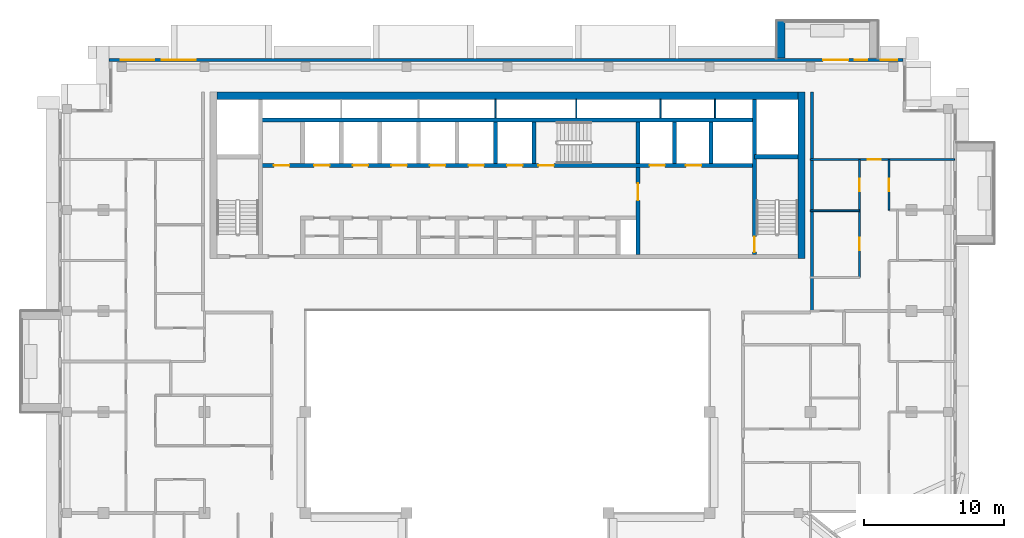
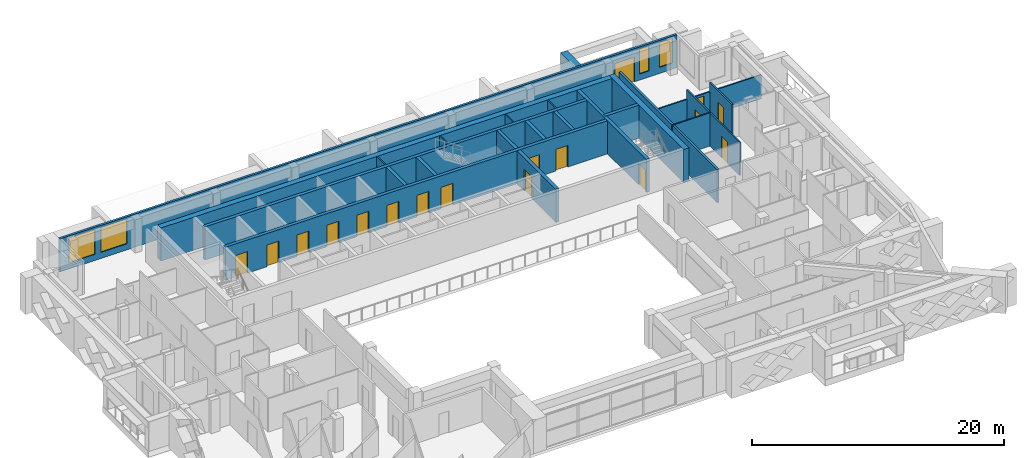
# One storey, part 11 of 19: 23 walls, 17 doors, 4 windows, 21 openings.
"""IFC4 building model written with IfcOpenShell, lengths in metres."""

import ifcopenshell
import ifcopenshell.guid

model = None  # the IFC model being written
_history = None  # IfcOwnerHistory: only IFC2X3 demands one
_inside = {}  # id of a spatial element -> (the spatial element, [elements in it])
_under = {}  # id of a project, library or spatial element -> (it, [spatial elements below it])
_declared = {}  # id of a project -> (the project, [libraries it declares])
_typed = {}  # id of a type object -> (the type object, [elements of that type])
_made_of = {}  # id of a material, layer set ... -> (it, [elements and type objects made of it])


def new_model(schema):
    """Start an empty IFC model of exactly this schema.

    Asked for "IFC4X3", IfcOpenShell would pick the latest addendum, in which some entities
    have other attributes; the version numbers below select the first issue.
    IFC2X3 requires an IfcOwnerHistory on every rooted entity: one is made here for all.
    """
    global model, _history
    if schema == "IFC4X3":
        model = ifcopenshell.file(schema_version=(4, 3, 0, 0))
    else:
        model = ifcopenshell.file(schema=schema)
    _inside.clear()
    _under.clear()
    _declared.clear()
    _typed.clear()
    _made_of.clear()
    _history = None
    if model.schema == "IFC2X3":
        org = make("IfcOrganization", Name="unknown")
        user = make(
            "IfcPersonAndOrganization",
            ThePerson=make("IfcPerson", FamilyName="unknown"),
            TheOrganization=org,
        )
        app = make(
            "IfcApplication",
            ApplicationDeveloper=org,
            Version="unknown",
            ApplicationFullName="unknown",
            ApplicationIdentifier="unknown",
        )
        _history = make(
            "IfcOwnerHistory",
            OwningUser=user,
            OwningApplication=app,
            ChangeAction="ADDED",
            CreationDate=0,
        )
    return model


def make(cls, **values):
    """One entity of the class cls with the attributes given. An attribute that is None is left unset."""
    return model.create_entity(
        cls, **{name: value for name, value in values.items() if value is not None}
    )


def rooted(cls, **values):
    """An entity with a GlobalId (a new one), such as an element, a storey or a relation."""
    return make(cls, GlobalId=ifcopenshell.guid.new(), OwnerHistory=_history, **values)


def si_unit(unit_type, name, prefix=None):
    """IfcSIUnit, for example si_unit("LENGTHUNIT", "METRE", prefix="MILLI")."""
    return make("IfcSIUnit", UnitType=unit_type, Prefix=prefix, Name=name)


def assignment(units):
    """IfcUnitAssignment: the units of a project."""
    return None if units is None else make("IfcUnitAssignment", Units=units)


def point(xyz):
    """IfcCartesianPoint."""
    return None if xyz is None else make("IfcCartesianPoint", Coordinates=xyz)


def direction(xyz):
    """IfcDirection."""
    return None if xyz is None else make("IfcDirection", DirectionRatios=xyz)


def frame(location, z_axis=None, x_axis=None):
    """IfcAxis2Placement3D, a coordinate frame: its origin and axes. An axis left out is left unset."""
    return make(
        "IfcAxis2Placement3D",
        Location=point(location),
        Axis=direction(z_axis),
        RefDirection=direction(x_axis),
    )


def frame_2d(location, x_axis=None):
    """IfcAxis2Placement2D, a coordinate frame in the plane: its origin and x axis."""
    return make(
        "IfcAxis2Placement2D", Location=point(location), RefDirection=direction(x_axis)
    )


def origin():
    """The frame at (0, 0, 0) with its axes left unset."""
    return frame((0.0, 0.0, 0.0))


def place(relative_to, where):
    """IfcLocalPlacement: puts the frame where relative to a parent placement (None: the world)."""
    return make(
        "IfcLocalPlacement", PlacementRelTo=relative_to, RelativePlacement=where
    )


def context(
    kind, dimensions, precision=None, world=None, true_north=None, identifier=None
):
    """IfcGeometricRepresentationContext, for example the 3D "Model" context."""
    return make(
        "IfcGeometricRepresentationContext",
        ContextIdentifier=identifier,
        ContextType=kind,
        CoordinateSpaceDimension=dimensions,
        Precision=precision,
        WorldCoordinateSystem=world,
        TrueNorth=true_north,
    )


def subcontext(parent, identifier, kind, view, scale=None):
    """IfcGeometricRepresentationSubContext, for example "Body" below "Model"."""
    return make(
        "IfcGeometricRepresentationSubContext",
        ContextIdentifier=identifier,
        ContextType=kind,
        ParentContext=parent,
        TargetScale=scale,
        TargetView=view,
    )


def project(units=None, contexts=None):
    """IfcProject with its units and contexts."""
    return rooted(
        "IfcProject",
        Name="project",
        RepresentationContexts=contexts,
        UnitsInContext=assignment(units),
    )


def spatial(cls, under=None, at=None, **own):
    """A site, building, storey or space (cls), placed at a placement, below another one or the project."""
    s = rooted(cls, ObjectPlacement=at, **own)
    if under is not None:
        _under.setdefault(under.id(), (under, []))[1].append(s)
    return s


def profile(cls, at=None, kind="AREA", **sizes):
    """A parametric profile (cls). Its sizes go by their IFC names, for example OverallWidth=200.0."""
    return make(cls, ProfileType=kind, Position=at, **sizes)


def rectangle(**sizes):
    """IfcRectangleProfileDef."""
    return profile("IfcRectangleProfileDef", **sizes)


def extrude(swept, where, along, depth):
    """IfcExtrudedAreaSolid: the profile swept, set in the frame where, extruded along a direction by depth."""
    return make(
        "IfcExtrudedAreaSolid",
        SweptArea=swept,
        Position=where,
        ExtrudedDirection=direction(along),
        Depth=depth,
    )


def shape(context_of_items, identifier, shape_type, items):
    """IfcShapeRepresentation: the items that make up one representation, for example the "Body"."""
    return make(
        "IfcShapeRepresentation",
        ContextOfItems=context_of_items,
        RepresentationIdentifier=identifier,
        RepresentationType=shape_type,
        Items=items,
    )


def material(Name=None, Category=None):
    """IfcMaterial."""
    return make("IfcMaterial", Name=Name, Category=Category)


def layer(
    of_material, thickness, ventilated=None, Name=None, Category=None, Priority=None
):
    """IfcMaterialLayer: one layer of a wall or slab, of a material (None: an air gap)."""
    return make(
        "IfcMaterialLayer",
        Material=of_material,
        LayerThickness=thickness,
        IsVentilated=ventilated,
        Name=Name,
        Category=Category,
        Priority=Priority,
    )


def layer_set(layers, Name=None):
    """IfcMaterialLayerSet."""
    return make("IfcMaterialLayerSet", MaterialLayers=layers, LayerSetName=Name)


def made_of(thing, what):
    """Note that an element or type object is made of a material, layer set ...; save() writes the relation."""
    if what is not None:
        _made_of.setdefault(what.id(), (what, []))[1].append(thing)
    return thing


def type_object(cls, material=None, **own):
    """A type object (cls), such as IfcWallType, which elements share."""
    return made_of(rooted(cls, **own), material)


def element(
    cls,
    number,
    at=None,
    inside=None,
    cuts=None,
    type_object=None,
    material=None,
    context=None,
    identifier="Body",
    shape_type=None,
    held_by="IfcProductDefinitionShape",
    body=None,
    shapes=None,
    **own,
):
    """One element of the class cls, such as IfcWall. Its Tag is "e" and its number.

    at: its placement. inside: the storey or other place that contains it. cuts: it is an
    opening in that element (IfcRelVoidsElement). A single representation is given by context,
    identifier, shape_type and body (its items); several are given by shapes. held_by: the class
    of the entity that holds the representations. save() writes the other relations.
    """
    e = rooted(cls, Tag="e%d" % number, ObjectPlacement=at, **own)
    if body is not None:
        shapes = [shape(context, identifier, shape_type, body)]
    if shapes is not None:
        e.Representation = make(held_by, Representations=shapes)
    if inside is not None:
        _inside.setdefault(inside.id(), (inside, []))[1].append(e)
    if cuts is not None:
        rooted(
            "IfcRelVoidsElement", RelatingBuildingElement=cuts, RelatedOpeningElement=e
        )
    if type_object is not None:
        _typed.setdefault(type_object.id(), (type_object, []))[1].append(e)
    return made_of(e, material)


def fill(opening, filler):
    """IfcRelFillsElement: the door or window that sits in an opening."""
    return rooted(
        "IfcRelFillsElement",
        RelatingOpeningElement=opening,
        RelatedBuildingElement=filler,
    )


def aggregate(whole, parts):
    """IfcRelAggregates: a whole, such as a stair, and the parts it consists of."""
    return rooted("IfcRelAggregates", RelatingObject=whole, RelatedObjects=parts)


def save(model, path):
    """Write the relations noted so far, then the file.

    IfcRelAggregates (storeys below a building ...), IfcRelContainedInSpatialStructure (elements
    in a storey), IfcRelDefinesByType, IfcRelAssociatesMaterial and IfcRelDeclares: one each for
    every whole, place, type object, material and project.
    """
    for whole, parts in _under.values():
        aggregate(whole, parts)
    for where, things in _inside.values():
        rooted(
            "IfcRelContainedInSpatialStructure",
            RelatedElements=things,
            RelatingStructure=where,
        )
    for kind, things in _typed.values():
        rooted("IfcRelDefinesByType", RelatedObjects=things, RelatingType=kind)
    for what, things in _made_of.values():
        rooted("IfcRelAssociatesMaterial", RelatedObjects=things, RelatingMaterial=what)
    for by, libraries in _declared.values():
        rooted("IfcRelDeclares", RelatingContext=by, RelatedDefinitions=libraries)
    model.write(path)


model = new_model("IFC4")

# Units and contexts
model_context = context("Model", 3, precision=1e-05, world=origin(), true_north=direction((0.0, 1.0)))
body_context = subcontext(model_context, "Body", "Model", "MODEL_VIEW")
ifc_project = project(units=[si_unit("LENGTHUNIT", "METRE"), si_unit("AREAUNIT", "SQUARE_METRE"), si_unit("VOLUMEUNIT", "CUBIC_METRE"), si_unit("PLANEANGLEUNIT", "RADIAN"), si_unit("MASSUNIT", "GRAM", prefix="KILO")], contexts=[model_context])

# Site, building, storey
site_placement = place(None, origin())
site = spatial("IfcSite", under=ifc_project, at=site_placement, CompositionType="ELEMENT")
building_placement = place(site_placement, origin())
building = spatial("IfcBuilding", under=site, at=building_placement, Name="Saffron Iwan Residences", CompositionType="ELEMENT")
storey_placement = place(building_placement, frame((0.0, 0.0, 236.0)))
storey = spatial("IfcBuildingStorey", under=building, at=storey_placement, Name="L63", CompositionType="ELEMENT", Elevation=236.0)

# Wall
ifc_material_1 = material(Name="Concrete C50/60 white painted", Category="concrete")
ifc_layer_1 = layer(ifc_material_1, 0.60009765625)
ifc_layer_set_1 = layer_set([ifc_layer_1], Name="Concrete C50/60 white painted")
wall_type_1 = type_object("IfcWallType", Name="BALCONY FIN 600", PredefinedType="SOLIDWALL", material=ifc_layer_set_1)
wall_1_placement = place(storey_placement, frame((69.89990234375, 80.449951171875, 0.0), z_axis=(0.0, 0.0, 1.0), x_axis=(0.0, 1.0, 0.0)))
element("IfcWall", 1, at=wall_1_placement, inside=storey, type_object=wall_type_1, Name="Balcony fin L63 F5-0b", PredefinedType="SOLIDWALL", context=body_context, shape_type="SweptSolid", body=[
    extrude(rectangle(XDim=2.650146484375, YDim=0.60009765625, at=frame_2d((1.3251953125, 0.0))), origin(), (0.0, 0.0, 1.0), 2.85009765625),
])

# Wall, openings, door, windows
ifc_material_2 = material(Name="Concrete C40/50", Category="concrete")
ifc_layer_2 = layer(ifc_material_2, 0.199951171875)
ifc_layer_set_2 = layer_set([ifc_layer_2], Name="Concrete C40/50")
wall_type_2 = type_object("IfcWallType", Name="EXTERNAL WALL 200", PredefinedType="SOLIDWALL", material=ifc_layer_set_2)
wall_2_placement = place(storey_placement, frame((78.60009765625, 80.300048828125, 0.0), z_axis=(0.0, 0.0, 1.0), x_axis=(-1.0, 0.0, 0.0)))
wall_2 = element("IfcWall", 2, at=wall_2_placement, inside=storey, type_object=wall_type_2, Name="External wall L63 F5.0", PredefinedType="SOLIDWALL", context=body_context, shape_type="SweptSolid", body=[
    extrude(rectangle(XDim=56.60009765625, YDim=0.199951171875, at=frame_2d((28.300048828125, 0.0))), origin(), (0.0, 0.0, 1.0), 3.219970703125),
])
opening_1_placement = place(wall_2_placement, frame((3.89990234375, 0.0, 0.0)))
opening_1 = element("IfcOpeningElement", 3, at=opening_1_placement, cuts=wall_2, Name="Opening BD1", PredefinedType="OPENING", context=body_context, shape_type="SweptSolid", body=[
    extrude(rectangle(XDim=1.800048828125, YDim=2.39990234375, at=frame_2d((0.89990234375, 1.199951171875))), frame((0.0, 0.10986328125, 0.0), z_axis=(0.0, -1.0, 0.0), x_axis=(1.0, 0.0, 0.0)), (0.0, 0.0, 1.0), 0.219970703125),
])
opening_2_placement = place(wall_2_placement, frame((50.433349609375, 0.0, 0.60009765625)))
opening_2 = element("IfcOpeningElement", 4, at=opening_2_placement, cuts=wall_2, Name="Opening W1", PredefinedType="OPENING", context=body_context, shape_type="SweptSolid", body=[
    extrude(rectangle(XDim=2.39990234375, YDim=2.39990234375, at=frame_2d((1.199951171875, 1.199951171875))), frame((0.0, 0.10986328125, 0.0), z_axis=(0.0, -1.0, 0.0), x_axis=(1.0, 0.0, 0.0)), (0.0, 0.0, 1.0), 0.219970703125),
])
opening_3_placement = place(wall_2_placement, frame((53.36669921875, 0.0, 0.60009765625)))
opening_3 = element("IfcOpeningElement", 5, at=opening_3_placement, cuts=wall_2, Name="Opening W1", PredefinedType="OPENING", context=body_context, shape_type="SweptSolid", body=[
    extrude(rectangle(XDim=2.39990234375, YDim=2.39990234375, at=frame_2d((1.199951171875, 1.199951171875))), frame((0.0, 0.10986328125, 0.0), z_axis=(0.0, -1.0, 0.0), x_axis=(1.0, 0.0, 0.0)), (0.0, 0.0, 1.0), 0.219970703125),
])
opening_4_placement = place(wall_2_placement, frame((0.39990234375, 0.0, 0.60009765625)))
opening_4 = element("IfcOpeningElement", 6, at=opening_4_placement, cuts=wall_2, Name="Opening W3", PredefinedType="OPENING", context=body_context, shape_type="SweptSolid", body=[
    extrude(rectangle(XDim=1.199951171875, YDim=2.39990234375, at=frame_2d((0.60009765625, 1.199951171875))), frame((0.0, 0.10986328125, 0.0), z_axis=(0.0, -1.0, 0.0), x_axis=(1.0, 0.0, 0.0)), (0.0, 0.0, 1.0), 0.219970703125),
])
opening_5_placement = place(wall_2_placement, frame((2.550048828125, 0.0, 0.60009765625)))
opening_5 = element("IfcOpeningElement", 7, at=opening_5_placement, cuts=wall_2, Name="Opening W10", PredefinedType="OPENING", context=body_context, shape_type="SweptSolid", body=[
    extrude(rectangle(XDim=0.89990234375, YDim=2.39990234375, at=frame_2d((0.449951171875, 1.199951171875))), frame((0.0, 0.10986328125, 0.0), z_axis=(0.0, -1.0, 0.0), x_axis=(1.0, 0.0, 0.0)), (0.0, 0.0, 1.0), 0.219970703125),
])
ifc_material_3 = material(Name="Clear glass, laminated double glazed", Category="glass")
door_type_1 = type_object("IfcDoorType", Name="BALCONY DOOR 1800 x 2400", OperationType="DOUBLE_DOOR_SLIDING", PredefinedType="DOOR", material=ifc_material_3)
door_1_placement = place(opening_1_placement, origin())
door_1 = element("IfcDoor", 8, at=door_1_placement, inside=storey, type_object=door_type_1, Name="Balcony door L63 F5.0", OperationType="DOUBLE_DOOR_SLIDING", OverallHeight=2.39990234375, OverallWidth=1.800048828125, PredefinedType="DOOR", context=body_context, shape_type="SweptSolid", body=[
    extrude(rectangle(XDim=1.800048828125, YDim=2.39990234375, at=frame_2d((0.89990234375, 1.199951171875))), frame((0.0, 0.02490234375, 0.0), z_axis=(0.0, -1.0, 0.0), x_axis=(1.0, 0.0, 0.0)), (0.0, 0.0, 1.0), 0.050048828125),
])
fill(opening_1, door_1)
window_type_1 = type_object("IfcWindowType", Name="WINDOW 1200 x 2400", PartitioningType="SINGLE_PANEL", PredefinedType="WINDOW", material=ifc_material_3)
window_1_placement = place(opening_4_placement, origin())
window_1 = element("IfcWindow", 9, at=window_1_placement, inside=storey, type_object=window_type_1, Name="Window L63 F5.3", OverallHeight=2.39990234375, OverallWidth=1.199951171875, PartitioningType="SINGLE_PANEL", PredefinedType="WINDOW", context=body_context, shape_type="SweptSolid", body=[
    extrude(rectangle(XDim=1.199951171875, YDim=2.39990234375, at=frame_2d((0.60009765625, 1.199951171875))), frame((0.0, 0.030029296875, 0.0), z_axis=(0.0, -1.0, 0.0), x_axis=(1.0, 0.0, 0.0)), (0.0, 0.0, 1.0), 0.06005859375),
])
fill(opening_4, window_1)
window_type_2 = type_object("IfcWindowType", Name="WINDOW 2400 x 2400", PartitioningType="DOUBLE_PANEL_VERTICAL", PredefinedType="WINDOW", material=ifc_material_3)
window_2_placement = place(opening_2_placement, origin())
window_2 = element("IfcWindow", 10, at=window_2_placement, inside=storey, type_object=window_type_2, Name="Window L63 F5.1", OverallHeight=2.39990234375, OverallWidth=2.39990234375, PartitioningType="DOUBLE_PANEL_VERTICAL", PredefinedType="WINDOW", context=body_context, shape_type="SweptSolid", body=[
    extrude(rectangle(XDim=2.39990234375, YDim=2.39990234375, at=frame_2d((1.199951171875, 1.199951171875))), frame((0.0, 0.030029296875, 0.0), z_axis=(0.0, -1.0, 0.0), x_axis=(1.0, 0.0, 0.0)), (0.0, 0.0, 1.0), 0.06005859375),
])
fill(opening_2, window_2)
window_3_placement = place(opening_3_placement, origin())
window_3 = element("IfcWindow", 11, at=window_3_placement, inside=storey, type_object=window_type_2, Name="Window L63 F5.2", OverallHeight=2.39990234375, OverallWidth=2.39990234375, PartitioningType="DOUBLE_PANEL_VERTICAL", PredefinedType="WINDOW", context=body_context, shape_type="SweptSolid", body=[
    extrude(rectangle(XDim=2.39990234375, YDim=2.39990234375, at=frame_2d((1.199951171875, 1.199951171875))), frame((0.0, 0.030029296875, 0.0), z_axis=(0.0, -1.0, 0.0), x_axis=(1.0, 0.0, 0.0)), (0.0, 0.0, 1.0), 0.06005859375),
])
fill(opening_3, window_3)
window_type_3 = type_object("IfcWindowType", Name="WINDOW 900 x 2400", PartitioningType="SINGLE_PANEL", PredefinedType="WINDOW", material=ifc_material_3)
window_4_placement = place(opening_5_placement, origin())
window_4 = element("IfcWindow", 12, at=window_4_placement, inside=storey, type_object=window_type_3, Name="Window L63 F5.4", OverallHeight=2.39990234375, OverallWidth=0.89990234375, PartitioningType="SINGLE_PANEL", PredefinedType="WINDOW", context=body_context, shape_type="SweptSolid", body=[
    extrude(rectangle(XDim=0.89990234375, YDim=2.39990234375, at=frame_2d((0.449951171875, 1.199951171875))), frame((0.0, 0.030029296875, 0.0), z_axis=(0.0, -1.0, 0.0), x_axis=(1.0, 0.0, 0.0)), (0.0, 0.0, 1.0), 0.06005859375),
])
fill(opening_5, window_4)

# Wall
ifc_material_4 = material(Name="Gypsum board partition")
ifc_layer_3 = layer(ifc_material_4, 0.1201171875)
ifc_layer_set_3 = layer_set([ifc_layer_3], Name="Gypsum board partition")
wall_type_3 = type_object("IfcWallType", Name="Flat partition 120", PredefinedType="PARTITIONING", material=ifc_layer_set_3)
wall_3_placement = place(storey_placement, frame((72.0, 69.550048828125, 0.0), z_axis=(0.0, 0.0, 1.0), x_axis=(1.0, 0.0, 0.0)))
element("IfcWall", 13, at=wall_3_placement, inside=storey, type_object=wall_type_3, Name="W-L63-PART-h69.55-72", PredefinedType="PARTITIONING", context=body_context, shape_type="SweptSolid", body=[
    extrude(rectangle(XDim=3.5, YDim=0.1201171875, at=frame_2d((1.75, 0.0))), origin(), (0.0, 0.0, 1.0), 3.219970703125),
])

# Wall, opening, door
wall_4_placement = place(storey_placement, frame((72.0, 73.199951171875, 0.0), z_axis=(0.0, 0.0, 1.0), x_axis=(1.0, 0.0, 0.0)))
wall_4 = element("IfcWall", 14, at=wall_4_placement, inside=storey, type_object=wall_type_3, Name="W-L63-PART-h73.2-72", PredefinedType="PARTITIONING", context=body_context, shape_type="SweptSolid", body=[
    extrude(rectangle(XDim=10.27490234375, YDim=0.1201171875, at=frame_2d((5.137451171875, 0.0))), origin(), (0.0, 0.0, 1.0), 2.320068359375),
])
opening_6_placement = place(wall_4_placement, frame((4.10009765625, 0.0, 0.0)))
opening_6 = element("IfcOpeningElement", 15, at=opening_6_placement, cuts=wall_4, Name="Opening FD2", PredefinedType="OPENING", context=body_context, shape_type="SweptSolid", body=[
    extrude(rectangle(XDim=0.89990234375, YDim=2.10009765625, at=frame_2d((0.449951171875, 1.050048828125))), frame((0.0, 0.070068359375, 0.0), z_axis=(0.0, -1.0, 0.0), x_axis=(1.0, 0.0, 0.0)), (0.0, 0.0, 1.0), 0.14013671875),
])
ifc_material_5 = material(Name="Timber door", Category="wood")
door_type_2 = type_object("IfcDoorType", Name="Flat door 900", OperationType="NOTDEFINED", PredefinedType="DOOR", material=ifc_material_5)
door_2_placement = place(opening_6_placement, origin())
door_2 = element("IfcDoor", 16, at=door_2_placement, inside=storey, type_object=door_type_2, Name="Door L63-038", OperationType="SINGLE_SWING_LEFT", OverallHeight=2.10009765625, OverallWidth=0.89990234375, PredefinedType="DOOR", context=body_context, shape_type="SweptSolid", body=[
    extrude(rectangle(XDim=0.89990234375, YDim=2.10009765625, at=frame_2d((0.449951171875, 1.050048828125))), frame((0.0, 0.02490234375, 0.0), z_axis=(0.0, -1.0, 0.0), x_axis=(1.0, 0.0, 0.0)), (0.0, 0.0, 1.0), 0.050048828125),
])
fill(opening_6, door_2)

# Wall, openings, doors
wall_5_placement = place(storey_placement, frame((75.5, 64.800048828125, 0.0), z_axis=(0.0, 0.0, 1.0), x_axis=(0.0, 1.0, 0.0)))
wall_5 = element("IfcWall", 17, at=wall_5_placement, inside=storey, type_object=wall_type_3, Name="W-L63-PART-v75.5-64.8", PredefinedType="PARTITIONING", context=body_context, shape_type="SweptSolid", body=[
    extrude(rectangle(XDim=8.39990234375, YDim=0.1201171875, at=frame_2d((4.199951171875, 0.0))), origin(), (0.0, 0.0, 1.0), 3.219970703125),
])
opening_7_placement = place(wall_5_placement, frame((1.925048828125, 0.0, 0.0)))
opening_7 = element("IfcOpeningElement", 18, at=opening_7_placement, cuts=wall_5, Name="Opening FD2", PredefinedType="OPENING", context=body_context, shape_type="SweptSolid", body=[
    extrude(rectangle(XDim=0.89990234375, YDim=2.10009765625, at=frame_2d((0.449951171875, 1.050048828125))), frame((0.0, 0.070068359375, 0.0), z_axis=(0.0, -1.0, 0.0), x_axis=(1.0, 0.0, 0.0)), (0.0, 0.0, 1.0), 0.14013671875),
])
opening_8_placement = place(wall_5_placement, frame((6.125, 0.0, 0.0)))
opening_8 = element("IfcOpeningElement", 19, at=opening_8_placement, cuts=wall_5, Name="Opening FD2", PredefinedType="OPENING", context=body_context, shape_type="SweptSolid", body=[
    extrude(rectangle(XDim=0.89990234375, YDim=2.10009765625, at=frame_2d((0.449951171875, 1.050048828125))), frame((0.0, 0.070068359375, 0.0), z_axis=(0.0, -1.0, 0.0), x_axis=(1.0, 0.0, 0.0)), (0.0, 0.0, 1.0), 0.14013671875),
])
door_3_placement = place(opening_7_placement, origin())
door_3 = element("IfcDoor", 20, at=door_3_placement, inside=storey, type_object=door_type_2, Name="Door L63-039", OperationType="SINGLE_SWING_LEFT", OverallHeight=2.10009765625, OverallWidth=0.89990234375, PredefinedType="DOOR", context=body_context, shape_type="SweptSolid", body=[
    extrude(rectangle(XDim=0.89990234375, YDim=2.10009765625, at=frame_2d((0.449951171875, 1.050048828125))), frame((0.0, 0.02490234375, 0.0), z_axis=(0.0, -1.0, 0.0), x_axis=(1.0, 0.0, 0.0)), (0.0, 0.0, 1.0), 0.050048828125),
])
fill(opening_7, door_3)
door_4_placement = place(opening_8_placement, origin())
door_4 = element("IfcDoor", 21, at=door_4_placement, inside=storey, type_object=door_type_2, Name="Door L63-040", OperationType="SINGLE_SWING_RIGHT", OverallHeight=2.10009765625, OverallWidth=0.89990234375, PredefinedType="DOOR", context=body_context, shape_type="SweptSolid", body=[
    extrude(rectangle(XDim=0.89990234375, YDim=2.10009765625, at=frame_2d((0.449951171875, 1.050048828125))), frame((0.0, 0.02490234375, 0.0), z_axis=(0.0, -1.0, 0.0), x_axis=(1.0, 0.0, 0.0)), (0.0, 0.0, 1.0), 0.050048828125),
])
fill(opening_8, door_4)

# Wall, opening, door
wall_6_placement = place(storey_placement, frame((77.60009765625, 69.60009765625, 0.0), z_axis=(0.0, 0.0, 1.0), x_axis=(0.0, 1.0, 0.0)))
wall_6 = element("IfcWall", 22, at=wall_6_placement, inside=storey, type_object=wall_type_3, Name="W-L63-PART-v77.6-69.6", PredefinedType="PARTITIONING", context=body_context, shape_type="SweptSolid", body=[
    extrude(rectangle(XDim=3.599853515625, YDim=0.1201171875, at=frame_2d((1.7998046875, 0.0))), origin(), (0.0, 0.0, 1.0), 3.219970703125),
])
opening_9_placement = place(wall_6_placement, frame((1.35009765625, 0.0, 0.0)))
opening_9 = element("IfcOpeningElement", 23, at=opening_9_placement, cuts=wall_6, Name="Opening FD2", PredefinedType="OPENING", context=body_context, shape_type="SweptSolid", body=[
    extrude(rectangle(XDim=0.89990234375, YDim=2.10009765625, at=frame_2d((0.449951171875, 1.050048828125))), frame((0.0, 0.070068359375, 0.0), z_axis=(0.0, -1.0, 0.0), x_axis=(1.0, 0.0, 0.0)), (0.0, 0.0, 1.0), 0.14013671875),
])
door_5_placement = place(opening_9_placement, origin())
door_5 = element("IfcDoor", 24, at=door_5_placement, inside=storey, type_object=door_type_2, Name="Door L63-037", OperationType="SINGLE_SWING_RIGHT", OverallHeight=2.10009765625, OverallWidth=0.89990234375, PredefinedType="DOOR", context=body_context, shape_type="SweptSolid", body=[
    extrude(rectangle(XDim=0.89990234375, YDim=2.10009765625, at=frame_2d((0.449951171875, 1.050048828125))), frame((0.0, 0.02490234375, 0.0), z_axis=(0.0, -1.0, 0.0), x_axis=(1.0, 0.0, 0.0)), (0.0, 0.0, 1.0), 0.050048828125),
])
fill(opening_9, door_5)

# Walls
ifc_material_6 = material(Name="Fire-rated gypsum board wall")
ifc_layer_4 = layer(ifc_material_6, 0.199951171875)
ifc_layer_set_4 = layer_set([ifc_layer_4], Name="Fire-rated gypsum board wall")
wall_type_4 = type_object("IfcWallType", Name="Gallery wall 200", PredefinedType="SOLIDWALL", material=ifc_layer_set_4)
wall_7_placement = place(storey_placement, frame((72.10009765625, 62.39990234375, 0.0), z_axis=(0.0, 0.0, 1.0), x_axis=(0.0, 1.0, 0.0)))
element("IfcWall", 25, at=wall_7_placement, inside=storey, type_object=wall_type_4, Name="W-L63-CORR-v72-62.4", PredefinedType="SOLIDWALL", context=body_context, shape_type="SweptSolid", body=[
    extrude(rectangle(XDim=15.60009765625, YDim=0.199951171875, at=frame_2d((7.800048828125, 0.0))), origin(), (0.0, 0.0, 1.0), 3.219970703125),
])
ifc_material_7 = material(Name="Fire-rated plasterboard partition")
ifc_layer_5 = layer(ifc_material_7, 0.10009765625)
ifc_layer_set_5 = layer_set([ifc_layer_5], Name="Fire-rated plasterboard partition")
wall_type_5 = type_object("IfcWallType", Name="Riser partition 100", PredefinedType="PARTITIONING", material=ifc_layer_set_5)
for number, where, z_axis, x_axis, name in (
    (26, (49.550048828125, 76.175048828125, 0.0), (0.0, 0.0, 1.0), (0.0, 1.0, 0.0), "Core partition P10"),
    (27, (55.300048828125, 76.175048828125, 0.0), (0.0, 0.0, 1.0), (0.0, 1.0, 0.0), "Core partition P11"),
    (28, (61.300048828125, 76.175048828125, 0.0), (0.0, 0.0, 1.0), (0.0, 1.0, 0.0), "Core partition P12"),
    (29, (65.199951171875, 76.175048828125, 0.0), (0.0, 0.0, 1.0), (0.0, 1.0, 0.0), "Core partition P13"),
):
    element("IfcWall", number, at=place(storey_placement, frame(where, z_axis=z_axis, x_axis=x_axis)), inside=storey, type_object=wall_type_5, Name=name, PredefinedType="PARTITIONING", context=body_context, shape_type="SweptSolid", body=[
        extrude(rectangle(XDim=1.324951171875, YDim=0.10009765625, at=frame_2d((0.66259765625, 0.0))), origin(), (0.0, 0.0, 1.0), 3.219970703125),
    ])

# Wall, openings, doors
ifc_layer_6 = layer(ifc_material_2, 0.300048828125)
ifc_layer_set_6 = layer_set([ifc_layer_6], Name="Concrete C40/50")
wall_type_6 = type_object("IfcWallType", Name="WALL CORE 300 C40/50 3220 HIGH", PredefinedType="SHEAR", material=ifc_layer_set_6)
wall_8_placement = place(storey_placement, frame((32.800048828125, 72.77490234375, 0.0), z_axis=(0.0, 0.0, 1.0), x_axis=(1.0, 0.0, 0.0)))
wall_8 = element("IfcWall", 30, at=wall_8_placement, inside=storey, type_object=wall_type_6, Name="Core wall", PredefinedType="SHEAR", context=body_context, shape_type="SweptSolid", body=[
    extrude(rectangle(XDim=35.199951171875, YDim=0.300048828125, at=frame_2d((17.60009765625, 0.0))), origin(), (0.0, 0.0, 1.0), 3.219970703125),
])
opening_10_placement = place(wall_8_placement, frame((19.800048828125, 0.0, 0.0)))
opening_10 = element("IfcOpeningElement", 31, at=opening_10_placement, cuts=wall_8, Name="Opening SD", PredefinedType="OPENING", context=body_context, shape_type="SweptSolid", body=[
    extrude(rectangle(XDim=1.10009765625, YDim=2.10009765625, at=frame_2d((0.550048828125, 1.050048828125))), frame((0.0, 0.16015625, 0.0), z_axis=(0.0, -1.0, 0.0), x_axis=(1.0, 0.0, 0.0)), (0.0, 0.0, 1.0), 0.320068359375),
])
opening_11_placement = place(wall_8_placement, frame((27.72509765625, 0.0, 0.0)))
opening_11 = element("IfcOpeningElement", 32, at=opening_11_placement, cuts=wall_8, Name="Opening LD", PredefinedType="OPENING", context=body_context, shape_type="SweptSolid", body=[
    extrude(rectangle(XDim=1.10009765625, YDim=2.10009765625, at=frame_2d((0.550048828125, 1.050048828125))), frame((0.0, 0.16015625, 0.0), z_axis=(0.0, -1.0, 0.0), x_axis=(1.0, 0.0, 0.0)), (0.0, 0.0, 1.0), 0.320068359375),
])
opening_12_placement = place(wall_8_placement, frame((30.324951171875, 0.0, 0.0)))
opening_12 = element("IfcOpeningElement", 33, at=opening_12_placement, cuts=wall_8, Name="Opening LD", PredefinedType="OPENING", context=body_context, shape_type="SweptSolid", body=[
    extrude(rectangle(XDim=1.10009765625, YDim=2.10009765625, at=frame_2d((0.550048828125, 1.050048828125))), frame((0.0, 0.16015625, 0.0), z_axis=(0.0, -1.0, 0.0), x_axis=(1.0, 0.0, 0.0)), (0.0, 0.0, 1.0), 0.320068359375),
])
opening_13_placement = place(wall_8_placement, frame((3.824951171875, 0.0, 0.0)))
opening_13 = element("IfcOpeningElement", 34, at=opening_13_placement, cuts=wall_8, Name="Opening LD", PredefinedType="OPENING", context=body_context, shape_type="SweptSolid", body=[
    extrude(rectangle(XDim=1.10009765625, YDim=2.10009765625, at=frame_2d((0.550048828125, 1.050048828125))), frame((0.0, 0.16015625, 0.0), z_axis=(0.0, -1.0, 0.0), x_axis=(1.0, 0.0, 0.0)), (0.0, 0.0, 1.0), 0.320068359375),
])
opening_14_placement = place(wall_8_placement, frame((6.574951171875, 0.0, 0.0)))
opening_14 = element("IfcOpeningElement", 35, at=opening_14_placement, cuts=wall_8, Name="Opening LD", PredefinedType="OPENING", context=body_context, shape_type="SweptSolid", body=[
    extrude(rectangle(XDim=1.10009765625, YDim=2.10009765625, at=frame_2d((0.550048828125, 1.050048828125))), frame((0.0, 0.16015625, 0.0), z_axis=(0.0, -1.0, 0.0), x_axis=(1.0, 0.0, 0.0)), (0.0, 0.0, 1.0), 0.320068359375),
])
opening_15_placement = place(wall_8_placement, frame((9.324951171875, 0.0, 0.0)))
opening_15 = element("IfcOpeningElement", 36, at=opening_15_placement, cuts=wall_8, Name="Opening LD", PredefinedType="OPENING", context=body_context, shape_type="SweptSolid", body=[
    extrude(rectangle(XDim=1.10009765625, YDim=2.10009765625, at=frame_2d((0.550048828125, 1.050048828125))), frame((0.0, 0.16015625, 0.0), z_axis=(0.0, -1.0, 0.0), x_axis=(1.0, 0.0, 0.0)), (0.0, 0.0, 1.0), 0.320068359375),
])
opening_16_placement = place(wall_8_placement, frame((12.074951171875, 0.0, 0.0)))
opening_16 = element("IfcOpeningElement", 37, at=opening_16_placement, cuts=wall_8, Name="Opening LD", PredefinedType="OPENING", context=body_context, shape_type="SweptSolid", body=[
    extrude(rectangle(XDim=1.10009765625, YDim=2.10009765625, at=frame_2d((0.550048828125, 1.050048828125))), frame((0.0, 0.16015625, 0.0), z_axis=(0.0, -1.0, 0.0), x_axis=(1.0, 0.0, 0.0)), (0.0, 0.0, 1.0), 0.320068359375),
])
opening_17_placement = place(wall_8_placement, frame((14.824951171875, 0.0, 0.0)))
opening_17 = element("IfcOpeningElement", 38, at=opening_17_placement, cuts=wall_8, Name="Opening LD", PredefinedType="OPENING", context=body_context, shape_type="SweptSolid", body=[
    extrude(rectangle(XDim=1.10009765625, YDim=2.10009765625, at=frame_2d((0.550048828125, 1.050048828125))), frame((0.0, 0.16015625, 0.0), z_axis=(0.0, -1.0, 0.0), x_axis=(1.0, 0.0, 0.0)), (0.0, 0.0, 1.0), 0.320068359375),
])
opening_18_placement = place(wall_8_placement, frame((17.574951171875, 0.0, 0.0)))
opening_18 = element("IfcOpeningElement", 39, at=opening_18_placement, cuts=wall_8, Name="Opening LD", PredefinedType="OPENING", context=body_context, shape_type="SweptSolid", body=[
    extrude(rectangle(XDim=1.10009765625, YDim=2.10009765625, at=frame_2d((0.550048828125, 1.050048828125))), frame((0.0, 0.16015625, 0.0), z_axis=(0.0, -1.0, 0.0), x_axis=(1.0, 0.0, 0.0)), (0.0, 0.0, 1.0), 0.320068359375),
])
opening_19_placement = place(wall_8_placement, frame((0.949951171875, 0.0, 0.0)))
opening_19 = element("IfcOpeningElement", 40, at=opening_19_placement, cuts=wall_8, Name="Opening SR", PredefinedType="OPENING", context=body_context, shape_type="SweptSolid", body=[
    extrude(rectangle(XDim=1.10009765625, YDim=2.10009765625, at=frame_2d((0.550048828125, 1.050048828125))), frame((0.0, 0.16015625, 0.0), z_axis=(0.0, -1.0, 0.0), x_axis=(1.0, 0.0, 0.0)), (0.0, 0.0, 1.0), 0.320068359375),
])
ifc_material_8 = material(Name="Steel fire door", Category="steel")
door_type_3 = type_object("IfcDoorType", Name="Lift landing door 1100", OperationType="SLIDING_TO_LEFT", PredefinedType="DOOR", material=ifc_material_8)
door_6_placement = place(opening_11_placement, origin())
door_6 = element("IfcDoor", 41, at=door_6_placement, inside=storey, type_object=door_type_3, Name="Landing doors FF1", OperationType="SLIDING_TO_LEFT", OverallHeight=2.10009765625, OverallWidth=1.10009765625, PredefinedType="DOOR", context=body_context, shape_type="SweptSolid", body=[
    extrude(rectangle(XDim=1.10009765625, YDim=2.10009765625, at=frame_2d((0.550048828125, 1.050048828125))), frame((0.0, 0.02490234375, 0.0), z_axis=(0.0, -1.0, 0.0), x_axis=(1.0, 0.0, 0.0)), (0.0, 0.0, 1.0), 0.050048828125),
])
fill(opening_11, door_6)
door_7_placement = place(opening_12_placement, origin())
door_7 = element("IfcDoor", 42, at=door_7_placement, inside=storey, type_object=door_type_3, Name="Landing doors FF2", OperationType="SLIDING_TO_LEFT", OverallHeight=2.10009765625, OverallWidth=1.10009765625, PredefinedType="DOOR", context=body_context, shape_type="SweptSolid", body=[
    extrude(rectangle(XDim=1.10009765625, YDim=2.10009765625, at=frame_2d((0.550048828125, 1.050048828125))), frame((0.0, 0.02490234375, 0.0), z_axis=(0.0, -1.0, 0.0), x_axis=(1.0, 0.0, 0.0)), (0.0, 0.0, 1.0), 0.050048828125),
])
fill(opening_12, door_7)
door_8_placement = place(opening_13_placement, origin())
door_8 = element("IfcDoor", 43, at=door_8_placement, inside=storey, type_object=door_type_3, Name="Landing doors HR1", OperationType="SLIDING_TO_LEFT", OverallHeight=2.10009765625, OverallWidth=1.10009765625, PredefinedType="DOOR", context=body_context, shape_type="SweptSolid", body=[
    extrude(rectangle(XDim=1.10009765625, YDim=2.10009765625, at=frame_2d((0.550048828125, 1.050048828125))), frame((0.0, 0.02490234375, 0.0), z_axis=(0.0, -1.0, 0.0), x_axis=(1.0, 0.0, 0.0)), (0.0, 0.0, 1.0), 0.050048828125),
])
fill(opening_13, door_8)
door_9_placement = place(opening_14_placement, origin())
door_9 = element("IfcDoor", 44, at=door_9_placement, inside=storey, type_object=door_type_3, Name="Landing doors HR2", OperationType="SLIDING_TO_LEFT", OverallHeight=2.10009765625, OverallWidth=1.10009765625, PredefinedType="DOOR", context=body_context, shape_type="SweptSolid", body=[
    extrude(rectangle(XDim=1.10009765625, YDim=2.10009765625, at=frame_2d((0.550048828125, 1.050048828125))), frame((0.0, 0.02490234375, 0.0), z_axis=(0.0, -1.0, 0.0), x_axis=(1.0, 0.0, 0.0)), (0.0, 0.0, 1.0), 0.050048828125),
])
fill(opening_14, door_9)
door_10_placement = place(opening_15_placement, origin())
door_10 = element("IfcDoor", 45, at=door_10_placement, inside=storey, type_object=door_type_3, Name="Landing doors HR3", OperationType="SLIDING_TO_LEFT", OverallHeight=2.10009765625, OverallWidth=1.10009765625, PredefinedType="DOOR", context=body_context, shape_type="SweptSolid", body=[
    extrude(rectangle(XDim=1.10009765625, YDim=2.10009765625, at=frame_2d((0.550048828125, 1.050048828125))), frame((0.0, 0.02490234375, 0.0), z_axis=(0.0, -1.0, 0.0), x_axis=(1.0, 0.0, 0.0)), (0.0, 0.0, 1.0), 0.050048828125),
])
fill(opening_15, door_10)
door_11_placement = place(opening_16_placement, origin())
door_11 = element("IfcDoor", 46, at=door_11_placement, inside=storey, type_object=door_type_3, Name="Landing doors HR4", OperationType="SLIDING_TO_LEFT", OverallHeight=2.10009765625, OverallWidth=1.10009765625, PredefinedType="DOOR", context=body_context, shape_type="SweptSolid", body=[
    extrude(rectangle(XDim=1.10009765625, YDim=2.10009765625, at=frame_2d((0.550048828125, 1.050048828125))), frame((0.0, 0.02490234375, 0.0), z_axis=(0.0, -1.0, 0.0), x_axis=(1.0, 0.0, 0.0)), (0.0, 0.0, 1.0), 0.050048828125),
])
fill(opening_16, door_11)
door_12_placement = place(opening_17_placement, origin())
door_12 = element("IfcDoor", 47, at=door_12_placement, inside=storey, type_object=door_type_3, Name="Landing doors HR5", OperationType="SLIDING_TO_LEFT", OverallHeight=2.10009765625, OverallWidth=1.10009765625, PredefinedType="DOOR", context=body_context, shape_type="SweptSolid", body=[
    extrude(rectangle(XDim=1.10009765625, YDim=2.10009765625, at=frame_2d((0.550048828125, 1.050048828125))), frame((0.0, 0.02490234375, 0.0), z_axis=(0.0, -1.0, 0.0), x_axis=(1.0, 0.0, 0.0)), (0.0, 0.0, 1.0), 0.050048828125),
])
fill(opening_17, door_12)
door_13_placement = place(opening_18_placement, origin())
door_13 = element("IfcDoor", 48, at=door_13_placement, inside=storey, type_object=door_type_3, Name="Landing doors HR6", OperationType="SLIDING_TO_LEFT", OverallHeight=2.10009765625, OverallWidth=1.10009765625, PredefinedType="DOOR", context=body_context, shape_type="SweptSolid", body=[
    extrude(rectangle(XDim=1.10009765625, YDim=2.10009765625, at=frame_2d((0.550048828125, 1.050048828125))), frame((0.0, 0.02490234375, 0.0), z_axis=(0.0, -1.0, 0.0), x_axis=(1.0, 0.0, 0.0)), (0.0, 0.0, 1.0), 0.050048828125),
])
fill(opening_18, door_13)
door_type_4 = type_object("IfcDoorType", Name="Service door 1100", OperationType="NOTDEFINED", PredefinedType="DOOR", material=ifc_material_8)
door_14_placement = place(opening_19_placement, origin())
door_14 = element("IfcDoor", 49, at=door_14_placement, inside=storey, type_object=door_type_4, Name="Door Caretaker's room", OperationType="SINGLE_SWING_LEFT", OverallHeight=2.10009765625, OverallWidth=1.10009765625, PredefinedType="DOOR", context=body_context, shape_type="SweptSolid", body=[
    extrude(rectangle(XDim=1.10009765625, YDim=2.10009765625, at=frame_2d((0.550048828125, 1.050048828125))), frame((0.0, 0.02490234375, 0.0), z_axis=(0.0, -1.0, 0.0), x_axis=(1.0, 0.0, 0.0)), (0.0, 0.0, 1.0), 0.050048828125),
])
fill(opening_19, door_14)
door_type_5 = type_object("IfcDoorType", Name="Stair door 1100", OperationType="NOTDEFINED", PredefinedType="DOOR", material=ifc_material_8)
door_15_placement = place(opening_10_placement, origin())
door_15 = element("IfcDoor", 50, at=door_15_placement, inside=storey, type_object=door_type_5, Name="Stair door ST-C", OperationType="SINGLE_SWING_LEFT", OverallHeight=2.10009765625, OverallWidth=1.10009765625, PredefinedType="DOOR", context=body_context, shape_type="SweptSolid", body=[
    extrude(rectangle(XDim=1.10009765625, YDim=2.10009765625, at=frame_2d((0.550048828125, 1.050048828125))), frame((0.0, 0.02490234375, 0.0), z_axis=(0.0, -1.0, 0.0), x_axis=(1.0, 0.0, 0.0)), (0.0, 0.0, 1.0), 0.050048828125),
])
fill(opening_10, door_15)

# Walls
wall_9_placement = place(storey_placement, frame((32.800048828125, 76.02490234375, 0.0), z_axis=(0.0, 0.0, 1.0), x_axis=(1.0, 0.0, 0.0)))
element("IfcWall", 51, at=wall_9_placement, inside=storey, type_object=wall_type_6, Name="Core wall", PredefinedType="SHEAR", context=body_context, shape_type="SweptSolid", body=[
    extrude(rectangle(XDim=35.199951171875, YDim=0.300048828125, at=frame_2d((17.60009765625, 0.0))), origin(), (0.0, 0.0, 1.0), 3.219970703125),
])
wall_10_placement = place(storey_placement, frame((68.0, 73.39990234375, 0.0), z_axis=(0.0, 0.0, 1.0), x_axis=(1.0, 0.0, 0.0)))
element("IfcWall", 52, at=wall_10_placement, inside=storey, type_object=wall_type_6, Name="Core wall", PredefinedType="SHEAR", context=body_context, shape_type="SweptSolid", body=[
    extrude(rectangle(XDim=3.10009765625, YDim=0.300048828125, at=frame_2d((1.550048828125, 0.0))), origin(), (0.0, 0.0, 1.0), 3.219970703125),
])

# Wall, opening, door
wall_11_placement = place(storey_placement, frame((68.0, 66.449951171875, 0.0), z_axis=(0.0, 0.0, 1.0), x_axis=(0.0, 1.0, 0.0)))
wall_11 = element("IfcWall", 53, at=wall_11_placement, inside=storey, type_object=wall_type_6, Name="Core wall", PredefinedType="SHEAR", context=body_context, shape_type="SweptSolid", body=[
    extrude(rectangle(XDim=11.050048828125, YDim=0.300048828125, at=frame_2d((5.52490234375, 0.0))), origin(), (0.0, 0.0, 1.0), 3.219970703125),
])
opening_20_placement = place(wall_11_placement, frame((0.14990234375, 0.0, 0.0)))
opening_20 = element("IfcOpeningElement", 54, at=opening_20_placement, cuts=wall_11, Name="Opening SD", PredefinedType="OPENING", context=body_context, shape_type="SweptSolid", body=[
    extrude(rectangle(XDim=1.10009765625, YDim=2.10009765625, at=frame_2d((0.550048828125, 1.050048828125))), frame((0.0, 0.16015625, 0.0), z_axis=(0.0, -1.0, 0.0), x_axis=(1.0, 0.0, 0.0)), (0.0, 0.0, 1.0), 0.320068359375),
])
door_16_placement = place(opening_20_placement, origin())
door_16 = element("IfcDoor", 55, at=door_16_placement, inside=storey, type_object=door_type_5, Name="Stair door ST-E", OperationType="SINGLE_SWING_RIGHT", OverallHeight=2.10009765625, OverallWidth=1.10009765625, PredefinedType="DOOR", context=body_context, shape_type="SweptSolid", body=[
    extrude(rectangle(XDim=1.10009765625, YDim=2.10009765625, at=frame_2d((0.550048828125, 1.050048828125))), frame((0.0, 0.02490234375, 0.0), z_axis=(0.0, -1.0, 0.0), x_axis=(1.0, 0.0, 0.0)), (0.0, 0.0, 1.0), 0.050048828125),
])
fill(opening_20, door_16)

wall_12_placement = place(storey_placement, frame((59.699951171875, 66.449951171875, 0.0), z_axis=(0.0, 0.0, 1.0), x_axis=(0.0, 1.0, 0.0)))
wall_12 = element("IfcWall", 56, at=wall_12_placement, inside=storey, type_object=wall_type_6, Name="Core wall", PredefinedType="SHEAR", context=body_context, shape_type="SweptSolid", body=[
    extrude(rectangle(XDim=6.175048828125, YDim=0.300048828125, at=frame_2d((3.08740234375, 0.0))), origin(), (0.0, 0.0, 1.0), 3.219970703125),
])
opening_21_placement = place(wall_12_placement, frame((3.85009765625, 0.0, 0.0)))
opening_21 = element("IfcOpeningElement", 57, at=opening_21_placement, cuts=wall_12, Name="Opening FD", PredefinedType="OPENING", context=body_context, shape_type="SweptSolid", body=[
    extrude(rectangle(XDim=1.199951171875, YDim=2.10009765625, at=frame_2d((0.60009765625, 1.050048828125))), frame((0.0, 0.16015625, 0.0), z_axis=(0.0, -1.0, 0.0), x_axis=(1.0, 0.0, 0.0)), (0.0, 0.0, 1.0), 0.320068359375),
])
door_type_6 = type_object("IfcDoorType", Name="Firefighting lobby door 1200", OperationType="NOTDEFINED", PredefinedType="DOOR", material=ifc_material_8)
door_17_placement = place(opening_21_placement, origin())
door_17 = element("IfcDoor", 58, at=door_17_placement, inside=storey, type_object=door_type_6, Name="Firefighting lobby door", OperationType="SINGLE_SWING_LEFT", OverallHeight=2.10009765625, OverallWidth=1.199951171875, PredefinedType="DOOR", context=body_context, shape_type="SweptSolid", body=[
    extrude(rectangle(XDim=1.199951171875, YDim=2.10009765625, at=frame_2d((0.60009765625, 1.050048828125))), frame((0.0, 0.02490234375, 0.0), z_axis=(0.0, -1.0, 0.0), x_axis=(1.0, 0.0, 0.0)), (0.0, 0.0, 1.0), 0.050048828125),
])
fill(opening_21, door_17)

# Walls
for number, where, z_axis, x_axis, name in (
    (59, (59.699951171875, 72.925048828125, 0.0), (0.0, 0.0, 1.0), (0.0, 1.0, 0.0), "Core wall"),
    (60, (49.550048828125, 72.925048828125, 0.0), (0.0, 0.0, 1.0), (0.0, 1.0, 0.0), "Core wall"),
    (61, (52.300048828125, 72.925048828125, 0.0), (0.0, 0.0, 1.0), (0.0, 1.0, 0.0), "Core wall"),
    (62, (62.300048828125, 72.925048828125, 0.0), (0.0, 0.0, 1.0), (0.0, 1.0, 0.0), "Core wall"),
    (63, (64.89990234375, 72.925048828125, 0.0), (0.0, 0.0, 1.0), (0.0, 1.0, 0.0), "Core wall"),
):
    element("IfcWall", number, at=place(storey_placement, frame(where, z_axis=z_axis, x_axis=x_axis)), inside=storey, type_object=wall_type_6, Name=name, PredefinedType="SHEAR", context=body_context, shape_type="SweptSolid", body=[
        extrude(rectangle(XDim=2.949951171875, YDim=0.300048828125, at=frame_2d((1.47509765625, 0.0))), origin(), (0.0, 0.0, 1.0), 3.219970703125),
    ])
ifc_layer_7 = layer(ifc_material_2, 0.5)
ifc_layer_set_7 = layer_set([ifc_layer_7], Name="Concrete C40/50")
wall_type_7 = type_object("IfcWallType", Name="WALL CORE 500 C40/50 3220 HIGH", PredefinedType="SHEAR", material=ifc_layer_set_7)
wall_13_placement = place(storey_placement, frame((71.35009765625, 66.14990234375, 0.0), z_axis=(0.0, 0.0, 1.0), x_axis=(0.0, 1.0, 0.0)))
element("IfcWall", 64, at=wall_13_placement, inside=storey, type_object=wall_type_7, Name="Core wall", PredefinedType="SHEAR", context=body_context, shape_type="SweptSolid", body=[
    extrude(rectangle(XDim=11.85009765625, YDim=0.5, at=frame_2d((5.925048828125, 0.0))), origin(), (0.0, 0.0, 1.0), 3.219970703125),
])
wall_14_placement = place(storey_placement, frame((29.699951171875, 77.75, 0.0), z_axis=(0.0, 0.0, 1.0), x_axis=(1.0, 0.0, 0.0)))
element("IfcWall", 65, at=wall_14_placement, inside=storey, type_object=wall_type_7, Name="Core wall", PredefinedType="SHEAR", context=body_context, shape_type="SweptSolid", body=[
    extrude(rectangle(XDim=41.400146484375, YDim=0.5, at=frame_2d((20.7001953125, 0.0))), origin(), (0.0, 0.0, 1.0), 3.219970703125),
])

save(model, "model.ifc")
